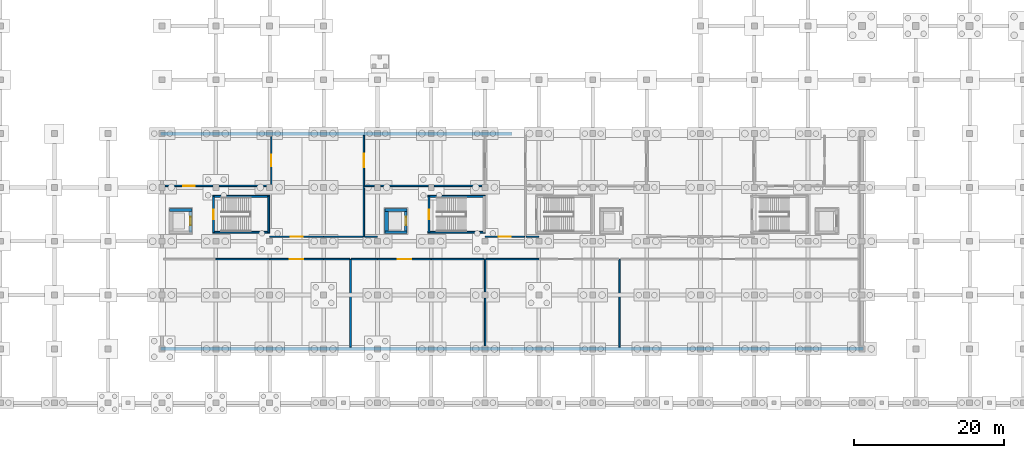
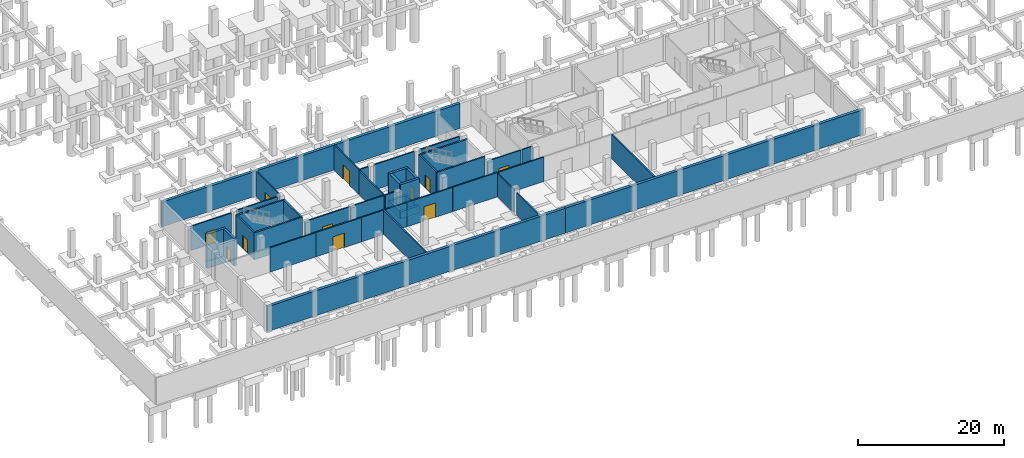
# One storey, part 18 of 22: 45 walls, 11 doors, 11 openings.
"""IFC4 building model written with IfcOpenShell, lengths in metres."""

from ifc_helpers import new_model, si_unit, direction, frame, frame_2d, origin, place, context, subcontext, project, spatial, rectangle, extrude, material, layer, layer_set, type_object, element, fill, save


model = new_model("IFC4")

# Units and contexts
model_context = context("Model", 3, precision=1e-05, world=origin(), true_north=direction((0.0, 1.0)))
body_context = subcontext(model_context, "Body", "Model", "MODEL_VIEW")
ifc_project = project(units=[si_unit("LENGTHUNIT", "METRE"), si_unit("AREAUNIT", "SQUARE_METRE"), si_unit("VOLUMEUNIT", "CUBIC_METRE"), si_unit("PLANEANGLEUNIT", "RADIAN"), si_unit("MASSUNIT", "GRAM", prefix="KILO")], contexts=[model_context])

# Site, building, storey
site_placement = place(None, origin())
site = spatial("IfcSite", under=ifc_project, at=site_placement, CompositionType="ELEMENT")
building_placement = place(site_placement, origin())
building = spatial("IfcBuilding", under=site, at=building_placement, Name="Sardonyx Promenade Sports Hall", CompositionType="ELEMENT")
storey_placement = place(building_placement, frame((0.0, 0.0, -4.5)))
storey = spatial("IfcBuildingStorey", under=building, at=storey_placement, Name="B1", CompositionType="ELEMENT", Elevation=-4.5)

# Wall
ifc_material_1 = material(Name="Concrete C40/50", Category="concrete")
ifc_layer_1 = layer(ifc_material_1, 0.3798828125)
ifc_layer_set_1 = layer_set([ifc_layer_1], Name="Wall_Core_Shear_380")
wall_type_1 = type_object("IfcWallType", Name="Wall_Core_Shear_380", PredefinedType="SHEAR", material=ifc_layer_set_1)
wall_1_placement = place(storey_placement, frame((22.610107421875, 25.800048828125, -1.199951171875), z_axis=(0.0, 0.0, 1.0), x_axis=(1.0, 0.0, 0.0)))
element("IfcWall", 1, at=wall_1_placement, inside=storey, type_object=wall_type_1, Name="Lift pit wall LF1 N", PredefinedType="SHEAR", context=body_context, shape_type="SweptSolid", body=[
    extrude(rectangle(XDim=2.97998046875, YDim=0.3798828125, at=frame_2d((1.489990234375, 0.0))), origin(), (0.0, 0.0, 1.0), 1.199951171875),
])

# Wall, opening, door
wall_2_placement = place(storey_placement, frame((25.39990234375, 22.800048828125, 0.0), z_axis=(0.0, 0.0, 1.0), x_axis=(0.0, 1.0, 0.0)))
wall_2 = element("IfcWall", 2, at=wall_2_placement, inside=storey, type_object=wall_type_1, Name="Lift shaft wall LF1 B1 E", PredefinedType="SHEAR", context=body_context, shape_type="SweptSolid", body=[
    extrude(rectangle(XDim=3.0, YDim=0.3798828125, at=frame_2d((1.5, 0.0))), origin(), (0.0, 0.0, 1.0), 4.5),
])
opening_1_placement = place(wall_2_placement, frame((0.949951171875, 0.0, 0.0)))
opening_1 = element("IfcOpeningElement", 3, at=opening_1_placement, cuts=wall_2, Name="Opening LD01", PredefinedType="OPENING", context=body_context, shape_type="SweptSolid", body=[
    extrude(rectangle(XDim=1.10009765625, YDim=2.199951171875, at=frame_2d((0.550048828125, 1.10009765625))), frame((0.0, 0.2, 0.0), z_axis=(0.0, -1.0, 0.0), x_axis=(1.0, 0.0, 0.0)), (0.0, 0.0, 1.0), 0.4),
])
ifc_material_2 = material(Name="Fire-rated stainless steel sliding lift door", Category="steel")
door_type_1 = type_object("IfcDoorType", Name="Door_Lift_Pass_110x220", OperationType="NOTDEFINED", PredefinedType="DOOR", material=ifc_material_2)
door_1_placement = place(opening_1_placement, origin())
door_1 = element("IfcDoor", 4, at=door_1_placement, inside=storey, type_object=door_type_1, Name="Lift landing sliding door LD-LF1-B1", OperationType="SLIDING_TO_LEFT", OverallHeight=2.199951171875, OverallWidth=1.10009765625, PredefinedType="DOOR", context=body_context, shape_type="SweptSolid", body=[
    extrude(rectangle(XDim=1.10009765625, YDim=2.199951171875, at=frame_2d((0.550048828125, 1.10009765625))), frame((0.0, 0.02490234375, 0.0), z_axis=(0.0, -1.0, 0.0), x_axis=(1.0, 0.0, 0.0)), (0.0, 0.0, 1.0), 0.050048828125),
])
fill(opening_1, door_1)

# Walls
wall_3_placement = place(storey_placement, frame((22.610107421875, 25.800048828125, 0.0), z_axis=(0.0, 0.0, 1.0), x_axis=(1.0, 0.0, 0.0)))
element("IfcWall", 5, at=wall_3_placement, inside=storey, type_object=wall_type_1, Name="Lift shaft wall LF1 B1 N", PredefinedType="SHEAR", context=body_context, shape_type="SweptSolid", body=[
    extrude(rectangle(XDim=2.97998046875, YDim=0.3798828125, at=frame_2d((1.489990234375, 0.0))), origin(), (0.0, 0.0, 1.0), 4.5),
])
wall_4_placement = place(storey_placement, frame((54.199951171875, 22.610107421875, -1.199951171875), z_axis=(0.0, 0.0, 1.0), x_axis=(0.0, 1.0, 0.0)))
element("IfcWall", 6, at=wall_4_placement, inside=storey, type_object=wall_type_1, Name="Lift pit wall LF3 E", PredefinedType="SHEAR", context=body_context, shape_type="SweptSolid", body=[
    extrude(rectangle(XDim=3.3798828125, YDim=0.3798828125, at=frame_2d((1.68994140625, 0.0))), origin(), (0.0, 0.0, 1.0), 1.199951171875),
])
for number, where, z_axis, x_axis, name in (
    (7, (51.409912109375, 25.800048828125, -1.199951171875), (0.0, 0.0, 1.0), (1.0, 0.0, 0.0), "Lift pit wall LF3 N"),
    (8, (54.389892578125, 22.800048828125, -1.199951171875), (0.0, 0.0, 1.0), (-1.0, 0.0, 0.0), "Lift pit wall LF3 S"),
):
    element("IfcWall", number, at=place(storey_placement, frame(where, z_axis=z_axis, x_axis=x_axis)), inside=storey, type_object=wall_type_1, Name=name, PredefinedType="SHEAR", context=body_context, shape_type="SweptSolid", body=[
        extrude(rectangle(XDim=2.97998046875, YDim=0.3798828125, at=frame_2d((1.489990234375, 0.0))), origin(), (0.0, 0.0, 1.0), 1.199951171875),
    ])

# Wall, opening, door
wall_5_placement = place(storey_placement, frame((54.199951171875, 22.800048828125, 0.0), z_axis=(0.0, 0.0, 1.0), x_axis=(0.0, 1.0, 0.0)))
wall_5 = element("IfcWall", 9, at=wall_5_placement, inside=storey, type_object=wall_type_1, Name="Lift shaft wall LF3 B1 E", PredefinedType="SHEAR", context=body_context, shape_type="SweptSolid", body=[
    extrude(rectangle(XDim=3.0, YDim=0.3798828125, at=frame_2d((1.5, 0.0))), origin(), (0.0, 0.0, 1.0), 4.5),
])
opening_2_placement = place(wall_5_placement, frame((0.949951171875, 0.0, 0.0)))
opening_2 = element("IfcOpeningElement", 10, at=opening_2_placement, cuts=wall_5, Name="Opening LD01", PredefinedType="OPENING", context=body_context, shape_type="SweptSolid", body=[
    extrude(rectangle(XDim=1.10009765625, YDim=2.199951171875, at=frame_2d((0.550048828125, 1.10009765625))), frame((0.0, 0.2, 0.0), z_axis=(0.0, -1.0, 0.0), x_axis=(1.0, 0.0, 0.0)), (0.0, 0.0, 1.0), 0.4),
])
door_2_placement = place(opening_2_placement, origin())
door_2 = element("IfcDoor", 11, at=door_2_placement, inside=storey, type_object=door_type_1, Name="Lift landing sliding door LD-LF3-B1", OperationType="SLIDING_TO_LEFT", OverallHeight=2.199951171875, OverallWidth=1.10009765625, PredefinedType="DOOR", context=body_context, shape_type="SweptSolid", body=[
    extrude(rectangle(XDim=1.10009765625, YDim=2.199951171875, at=frame_2d((0.550048828125, 1.10009765625))), frame((0.0, 0.02490234375, 0.0), z_axis=(0.0, -1.0, 0.0), x_axis=(1.0, 0.0, 0.0)), (0.0, 0.0, 1.0), 0.050048828125),
])
fill(opening_2, door_2)

# Walls
for number, where, z_axis, x_axis, name in (
    (12, (51.409912109375, 25.800048828125, 0.0), (0.0, 0.0, 1.0), (1.0, 0.0, 0.0), "Lift shaft wall LF3 B1 N"),
    (13, (54.389892578125, 22.800048828125, 0.0), (0.0, 0.0, 1.0), (-1.0, 0.0, 0.0), "Lift shaft wall LF3 B1 S"),
):
    element("IfcWall", number, at=place(storey_placement, frame(where, z_axis=z_axis, x_axis=x_axis)), inside=storey, type_object=wall_type_1, Name=name, PredefinedType="SHEAR", context=body_context, shape_type="SweptSolid", body=[
        extrude(rectangle(XDim=2.97998046875, YDim=0.3798828125, at=frame_2d((1.489990234375, 0.0))), origin(), (0.0, 0.0, 1.0), 4.5),
    ])
ifc_material_3 = material(Name="Concrete C50/60", Category="concrete")
ifc_layer_2 = layer(ifc_material_3, 0.5)
ifc_layer_set_2 = layer_set([ifc_layer_2], Name="Wall_Core_Shear_500")
wall_type_2 = type_object("IfcWallType", Name="Wall_Core_Shear_500", PredefinedType="SHEAR", material=ifc_layer_set_2)
wall_6_placement = place(storey_placement, frame((51.60009765625, 25.989990234375, -1.199951171875), z_axis=(0.0, 0.0, 1.0), x_axis=(0.0, -1.0, 0.0)))
element("IfcWall", 14, at=wall_6_placement, inside=storey, type_object=wall_type_2, Name="Lift pit wall LF3 W", PredefinedType="SHEAR", context=body_context, shape_type="SweptSolid", body=[
    extrude(rectangle(XDim=3.3798828125, YDim=0.5, at=frame_2d((1.68994140625, 0.0))), origin(), (0.0, 0.0, 1.0), 1.199951171875),
])
wall_7_placement = place(storey_placement, frame((51.60009765625, 25.800048828125, 0.0), z_axis=(0.0, 0.0, 1.0), x_axis=(0.0, -1.0, 0.0)))
element("IfcWall", 15, at=wall_7_placement, inside=storey, type_object=wall_type_2, Name="Lift shaft wall LF3 B1 W", PredefinedType="SHEAR", context=body_context, shape_type="SweptSolid", body=[
    extrude(rectangle(XDim=3.0, YDim=0.5, at=frame_2d((1.5, 0.0))), origin(), (0.0, 0.0, 1.0), 4.5),
])

# Wall, opening, door
ifc_material_4 = material(Name="Masonry CMU 15 MPa", Category="masonry")
ifc_layer_3 = layer(ifc_material_4, 0.18994140625)
ifc_layer_set_3 = layer_set([ifc_layer_3], Name="Wall_Part_Block_190")
wall_type_3 = type_object("IfcWallType", Name="Wall_Part_Block_190", PredefinedType="PARTITIONING", material=ifc_layer_set_3)
wall_8_placement = place(storey_placement, frame((36.199951171875, 29.199951171875, 0.0), z_axis=(0.0, 0.0, 1.0), x_axis=(0.0, 1.0, 0.0)))
wall_8 = element("IfcWall", 16, at=wall_8_placement, inside=storey, type_object=wall_type_3, Name="Interior partition PW03 B1 #10", PredefinedType="PARTITIONING", context=body_context, shape_type="SweptSolid", body=[
    extrude(rectangle(XDim=6.400146484375, YDim=0.18994140625, at=frame_2d((3.2001953125, 0.0))), origin(), (0.0, 0.0, 1.0), 4.219970703125),
])
opening_3_placement = place(wall_8_placement, frame((2.39990234375, 0.0, 0.0)))
opening_3 = element("IfcOpeningElement", 17, at=opening_3_placement, cuts=wall_8, Name="Opening ID09", PredefinedType="OPENING", context=body_context, shape_type="SweptSolid", body=[
    extrude(rectangle(XDim=1.60009765625, YDim=2.199951171875, at=frame_2d((0.800048828125, 1.10009765625))), frame((0.0, 0.105, 0.0), z_axis=(0.0, -1.0, 0.0), x_axis=(1.0, 0.0, 0.0)), (0.0, 0.0, 1.0), 0.21),
])
ifc_material_5 = material(Name="Double hardwood vision-panel fire door FD60S", Category="wood")
door_type_2 = type_object("IfcDoorType", Name="Door_Lobby_FD60_160x220", OperationType="NOTDEFINED", PredefinedType="DOOR", material=ifc_material_5)
door_3_placement = place(opening_3_placement, origin())
door_3 = element("IfcDoor", 18, at=door_3_placement, inside=storey, type_object=door_type_2, Name="Interior door DB1-001", OperationType="DOUBLE_DOOR_SINGLE_SWING", OverallHeight=2.199951171875, OverallWidth=1.60009765625, PredefinedType="DOOR", context=body_context, shape_type="SweptSolid", body=[
    extrude(rectangle(XDim=1.60009765625, YDim=2.199951171875, at=frame_2d((0.800048828125, 1.10009765625))), frame((0.0, 0.02490234375, 0.0), z_axis=(0.0, -1.0, 0.0), x_axis=(1.0, 0.0, 0.0)), (0.0, 0.0, 1.0), 0.050048828125),
])
fill(opening_3, door_3)

# Wall
wall_9_placement = place(storey_placement, frame((48.60009765625, 22.199951171875, 0.0), z_axis=(0.0, 0.0, 1.0), x_axis=(0.0, 1.0, 0.0)))
element("IfcWall", 19, at=wall_9_placement, inside=storey, type_object=wall_type_3, Name="Interior partition PW03 B1 #11", PredefinedType="PARTITIONING", context=body_context, shape_type="SweptSolid", body=[
    extrude(rectangle(XDim=6.800048828125, YDim=0.18994140625, at=frame_2d((3.39990234375, 0.0))), origin(), (0.0, 0.0, 1.0), 4.06005859375),
])

# Wall, opening, door
wall_10_placement = place(storey_placement, frame((48.60009765625, 29.010009765625, 0.0), z_axis=(0.0, 0.0, 1.0), x_axis=(0.0, 1.0, 0.0)))
wall_10 = element("IfcWall", 20, at=wall_10_placement, inside=storey, type_object=wall_type_3, Name="Interior partition PW03 B1 #12", PredefinedType="PARTITIONING", context=body_context, shape_type="SweptSolid", body=[
    extrude(rectangle(XDim=6.7548828125, YDim=0.18994140625, at=frame_2d((3.37744140625, 0.0))), origin(), (0.0, 0.0, 1.0), 4.219970703125),
])
opening_4_placement = place(wall_10_placement, frame((2.4775390625, 0.0, 0.0)))
opening_4 = element("IfcOpeningElement", 21, at=opening_4_placement, cuts=wall_10, Name="Opening ID02", PredefinedType="OPENING", context=body_context, shape_type="SweptSolid", body=[
    extrude(rectangle(XDim=1.800048828125, YDim=2.39990234375, at=frame_2d((0.89990234375, 1.199951171875))), frame((0.0, 0.105, 0.0), z_axis=(0.0, -1.0, 0.0), x_axis=(1.0, 0.0, 0.0)), (0.0, 0.0, 1.0), 0.21),
])
ifc_material_6 = material(Name="Steel acoustic plant fire door FD60S", Category="steel")
door_type_3 = type_object("IfcDoorType", Name="Door_Plant_FD60_180x240", OperationType="NOTDEFINED", PredefinedType="DOOR", material=ifc_material_6)
door_4_placement = place(opening_4_placement, origin())
door_4 = element("IfcDoor", 22, at=door_4_placement, inside=storey, type_object=door_type_3, Name="Interior door DB1-002", OperationType="DOUBLE_DOOR_SINGLE_SWING", OverallHeight=2.39990234375, OverallWidth=1.800048828125, PredefinedType="DOOR", context=body_context, shape_type="SweptSolid", body=[
    extrude(rectangle(XDim=1.800048828125, YDim=2.39990234375, at=frame_2d((0.89990234375, 1.199951171875))), frame((0.0, 0.02490234375, 0.0), z_axis=(0.0, -1.0, 0.0), x_axis=(1.0, 0.0, 0.0)), (0.0, 0.0, 1.0), 0.050048828125),
])
fill(opening_4, door_4)

wall_11_placement = place(storey_placement, frame((22.0, 29.0, 0.0), z_axis=(0.0, 0.0, 1.0), x_axis=(1.0, 0.0, 0.0)))
wall_11 = element("IfcWall", 23, at=wall_11_placement, inside=storey, type_object=wall_type_3, Name="Interior partition PW03 B1 #19", PredefinedType="PARTITIONING", context=body_context, shape_type="SweptSolid", body=[
    extrude(rectangle(XDim=6.39990234375, YDim=0.18994140625, at=frame_2d((3.199951171875, 0.0))), origin(), (0.0, 0.0, 1.0), 4.06005859375),
])
opening_5_placement = place(wall_11_placement, frame((2.39990234375, 0.0, 0.0)))
opening_5 = element("IfcOpeningElement", 24, at=opening_5_placement, cuts=wall_11, Name="Opening ID09", PredefinedType="OPENING", context=body_context, shape_type="SweptSolid", body=[
    extrude(rectangle(XDim=1.60009765625, YDim=2.199951171875, at=frame_2d((0.800048828125, 1.10009765625))), frame((0.0, 0.105, 0.0), z_axis=(0.0, -1.0, 0.0), x_axis=(1.0, 0.0, 0.0)), (0.0, 0.0, 1.0), 0.21),
])
door_5_placement = place(opening_5_placement, origin())
door_5 = element("IfcDoor", 25, at=door_5_placement, inside=storey, type_object=door_type_2, Name="Interior door DB1-008", OperationType="DOUBLE_DOOR_SINGLE_SWING", OverallHeight=2.199951171875, OverallWidth=1.60009765625, PredefinedType="DOOR", context=body_context, shape_type="SweptSolid", body=[
    extrude(rectangle(XDim=1.60009765625, YDim=2.199951171875, at=frame_2d((0.800048828125, 1.10009765625))), frame((0.0, 0.02490234375, 0.0), z_axis=(0.0, -1.0, 0.0), x_axis=(1.0, 0.0, 0.0)), (0.0, 0.0, 1.0), 0.050048828125),
])
fill(opening_5, door_5)

# Walls
wall_12_placement = place(storey_placement, frame((29.199951171875, 29.0, 0.0), z_axis=(0.0, 0.0, 1.0), x_axis=(1.0, 0.0, 0.0)))
element("IfcWall", 26, at=wall_12_placement, inside=storey, type_object=wall_type_3, Name="Interior partition PW03 B1 #20", PredefinedType="PARTITIONING", context=body_context, shape_type="SweptSolid", body=[
    extrude(rectangle(XDim=6.400146484375, YDim=0.18994140625, at=frame_2d((3.2001953125, 0.0))), origin(), (0.0, 0.0, 1.0), 4.219970703125),
])
wall_13_placement = place(storey_placement, frame((48.705078125, 29.0, 0.0), z_axis=(0.0, 0.0, 1.0), x_axis=(1.0, 0.0, 0.0)))
element("IfcWall", 27, at=wall_13_placement, inside=storey, type_object=wall_type_3, Name="Interior partition PW03 B1 #21", PredefinedType="PARTITIONING", context=body_context, shape_type="SweptSolid", body=[
    extrude(rectangle(XDim=1.294921875, YDim=0.18994140625, at=frame_2d((0.6474609375, 0.0))), origin(), (0.0, 0.0, 1.0), 4.219970703125),
])
for number, where, z_axis, x_axis, name in (
    (28, (50.800048828125, 29.0, 0.0), (0.0, 0.0, 1.0), (1.0, 0.0, 0.0), "Interior partition PW03 B1 #22"),
    (29, (58.0, 29.0, 0.0), (0.0, 0.0, 1.0), (1.0, 0.0, 0.0), "Interior partition PW03 B1 #23"),
):
    element("IfcWall", number, at=place(storey_placement, frame(where, z_axis=z_axis, x_axis=x_axis)), inside=storey, type_object=wall_type_3, Name=name, PredefinedType="PARTITIONING", context=body_context, shape_type="SweptSolid", body=[
        extrude(rectangle(XDim=6.39990234375, YDim=0.18994140625, at=frame_2d((3.199951171875, 0.0))), origin(), (0.0, 0.0, 1.0), 4.219970703125),
    ])

# Wall, opening, door
wall_14_placement = place(storey_placement, frame((36.0, 22.199951171875, 0.0), z_axis=(0.0, 0.0, 1.0), x_axis=(1.0, 0.0, 0.0)))
wall_14 = element("IfcWall", 30, at=wall_14_placement, inside=storey, type_object=wall_type_3, Name="Interior partition PW03 B1 #33", PredefinedType="PARTITIONING", context=body_context, shape_type="SweptSolid", body=[
    extrude(rectangle(XDim=7.199951171875, YDim=0.18994140625, at=frame_2d((3.60009765625, 0.0))), origin(), (0.0, 0.0, 1.0), 4.06005859375),
])
opening_6_placement = place(wall_14_placement, frame((2.800048828125, 0.0, 0.0)))
opening_6 = element("IfcOpeningElement", 31, at=opening_6_placement, cuts=wall_14, Name="Opening ID09", PredefinedType="OPENING", context=body_context, shape_type="SweptSolid", body=[
    extrude(rectangle(XDim=1.60009765625, YDim=2.199951171875, at=frame_2d((0.800048828125, 1.10009765625))), frame((0.0, 0.105, 0.0), z_axis=(0.0, -1.0, 0.0), x_axis=(1.0, 0.0, 0.0)), (0.0, 0.0, 1.0), 0.21),
])
door_6_placement = place(opening_6_placement, origin())
door_6 = element("IfcDoor", 32, at=door_6_placement, inside=storey, type_object=door_type_2, Name="Interior door DB1-011", OperationType="DOUBLE_DOOR_SINGLE_SWING", OverallHeight=2.199951171875, OverallWidth=1.60009765625, PredefinedType="DOOR", context=body_context, shape_type="SweptSolid", body=[
    extrude(rectangle(XDim=1.60009765625, YDim=2.199951171875, at=frame_2d((0.800048828125, 1.10009765625))), frame((0.0, 0.02490234375, 0.0), z_axis=(0.0, -1.0, 0.0), x_axis=(1.0, 0.0, 0.0)), (0.0, 0.0, 1.0), 0.050048828125),
])
fill(opening_6, door_6)

# Walls
wall_15_placement = place(storey_placement, frame((43.2099609375, 22.199951171875, 0.0), z_axis=(0.0, 0.0, 1.0), x_axis=(1.0, 0.0, 0.0)))
element("IfcWall", 33, at=wall_15_placement, inside=storey, type_object=wall_type_3, Name="Interior partition PW03 B1 #36", PredefinedType="PARTITIONING", context=body_context, shape_type="SweptSolid", body=[
    extrude(rectangle(XDim=5.28515625, YDim=0.18994140625, at=frame_2d((2.642578125, 0.0))), origin(), (0.0, 0.0, 1.0), 4.06005859375),
])
wall_16_placement = place(storey_placement, frame((48.705078125, 22.199951171875, 0.0), z_axis=(0.0, 0.0, 1.0), x_axis=(1.0, 0.0, 0.0)))
element("IfcWall", 34, at=wall_16_placement, inside=storey, type_object=wall_type_3, Name="Interior partition PW03 B1 #37", PredefinedType="PARTITIONING", context=body_context, shape_type="SweptSolid", body=[
    extrude(rectangle(XDim=1.69482421875, YDim=0.18994140625, at=frame_2d((0.847412109375, 0.0))), origin(), (0.0, 0.0, 1.0), 4.06005859375),
])

# Wall, opening, door
wall_17_placement = place(storey_placement, frame((64.800048828125, 22.199951171875, 0.0), z_axis=(0.0, 0.0, 1.0), x_axis=(1.0, 0.0, 0.0)))
wall_17 = element("IfcWall", 35, at=wall_17_placement, inside=storey, type_object=wall_type_3, Name="Interior partition PW03 B1 #41", PredefinedType="PARTITIONING", context=body_context, shape_type="SweptSolid", body=[
    extrude(rectangle(XDim=5.294921875, YDim=0.18994140625, at=frame_2d((2.6474609375, 0.0))), origin(), (0.0, 0.0, 1.0), 4.06005859375),
])
opening_7_placement = place(wall_17_placement, frame((1.847412109375, 0.0, 0.0)))
opening_7 = element("IfcOpeningElement", 36, at=opening_7_placement, cuts=wall_17, Name="Opening ID09", PredefinedType="OPENING", context=body_context, shape_type="SweptSolid", body=[
    extrude(rectangle(XDim=1.60009765625, YDim=2.199951171875, at=frame_2d((0.800048828125, 1.10009765625))), frame((0.0, 0.105, 0.0), z_axis=(0.0, -1.0, 0.0), x_axis=(1.0, 0.0, 0.0)), (0.0, 0.0, 1.0), 0.21),
])
door_7_placement = place(opening_7_placement, origin())
door_7 = element("IfcDoor", 37, at=door_7_placement, inside=storey, type_object=door_type_2, Name="Interior door DB1-013", OperationType="DOUBLE_DOOR_SINGLE_SWING", OverallHeight=2.199951171875, OverallWidth=1.60009765625, PredefinedType="DOOR", context=body_context, shape_type="SweptSolid", body=[
    extrude(rectangle(XDim=1.60009765625, YDim=2.199951171875, at=frame_2d((0.800048828125, 1.10009765625))), frame((0.0, 0.02490234375, 0.0), z_axis=(0.0, -1.0, 0.0), x_axis=(1.0, 0.0, 0.0)), (0.0, 0.0, 1.0), 0.050048828125),
])
fill(opening_7, door_7)

# Walls
wall_18_placement = place(storey_placement, frame((70.304931640625, 22.199951171875, 0.0), z_axis=(0.0, 0.0, 1.0), x_axis=(1.0, 0.0, 0.0)))
element("IfcWall", 38, at=wall_18_placement, inside=storey, type_object=wall_type_3, Name="Interior partition PW03 B1 #42", PredefinedType="PARTITIONING", context=body_context, shape_type="SweptSolid", body=[
    extrude(rectangle(XDim=1.695068359375, YDim=0.18994140625, at=frame_2d((0.84765625, 0.0))), origin(), (0.0, 0.0, 1.0), 4.06005859375),
])
ifc_material_7 = material(Name="Masonry CMU 15 MPa", Category="masonry")
ifc_layer_4 = layer(ifc_material_7, 0.2099609375)
ifc_layer_set_4 = layer_set([ifc_layer_4], Name="Wall_Part_Block_210")
wall_type_4 = type_object("IfcWallType", Name="Wall_Part_Block_210", PredefinedType="PARTITIONING", material=ifc_layer_set_4)
wall_19_placement = place(storey_placement, frame((46.800048828125, 7.43505859375, 0.0), z_axis=(0.0, 0.0, 1.0), x_axis=(0.0, 1.0, 0.0)))
element("IfcWall", 39, at=wall_19_placement, inside=storey, type_object=wall_type_4, Name="Interior partition PW07 B1 #1", PredefinedType="PARTITIONING", context=body_context, shape_type="SweptSolid", body=[
    extrude(rectangle(XDim=11.764892578125, YDim=0.2099609375, at=frame_2d((5.88232421875, 0.0))), origin(), (0.0, 0.0, 1.0), 4.06005859375),
])
wall_20_placement = place(storey_placement, frame((64.800048828125, 7.60009765625, 0.0), z_axis=(0.0, 0.0, 1.0), x_axis=(0.0, 1.0, 0.0)))
element("IfcWall", 40, at=wall_20_placement, inside=storey, type_object=wall_type_4, Name="Interior partition PW07 B1 #2", PredefinedType="PARTITIONING", context=body_context, shape_type="SweptSolid", body=[
    extrude(rectangle(XDim=6.39990234375, YDim=0.2099609375, at=frame_2d((3.199951171875, 0.0))), origin(), (0.0, 0.0, 1.0), 3.780029296875),
])
wall_21_placement = place(storey_placement, frame((64.800048828125, 14.800048828125, 0.0), z_axis=(0.0, 0.0, 1.0), x_axis=(0.0, 1.0, 0.0)))
element("IfcWall", 41, at=wall_21_placement, inside=storey, type_object=wall_type_4, Name="Interior partition PW07 B1 #3", PredefinedType="PARTITIONING", context=body_context, shape_type="SweptSolid", body=[
    extrude(rectangle(XDim=4.39990234375, YDim=0.2099609375, at=frame_2d((2.199951171875, 0.0))), origin(), (0.0, 0.0, 1.0), 3.780029296875),
])
wall_22_placement = place(storey_placement, frame((82.800048828125, 7.43505859375, 0.0), z_axis=(0.0, 0.0, 1.0), x_axis=(0.0, 1.0, 0.0)))
element("IfcWall", 42, at=wall_22_placement, inside=storey, type_object=wall_type_4, Name="Interior partition PW07 B1 #4", PredefinedType="PARTITIONING", context=body_context, shape_type="SweptSolid", body=[
    extrude(rectangle(XDim=11.764892578125, YDim=0.2099609375, at=frame_2d((5.88232421875, 0.0))), origin(), (0.0, 0.0, 1.0), 4.06005859375),
])
wall_23_placement = place(storey_placement, frame((28.81005859375, 19.199951171875, 0.0), z_axis=(0.0, 0.0, 1.0), x_axis=(1.0, 0.0, 0.0)))
element("IfcWall", 43, at=wall_23_placement, inside=storey, type_object=wall_type_4, Name="Interior partition PW07 B1 #31", PredefinedType="PARTITIONING", context=body_context, shape_type="SweptSolid", body=[
    extrude(rectangle(XDim=7.18994140625, YDim=0.2099609375, at=frame_2d((3.594970703125, 0.0))), origin(), (0.0, 0.0, 1.0), 4.06005859375),
])

# Wall, opening, door
wall_24_placement = place(storey_placement, frame((36.010009765625, 19.199951171875, 0.0), z_axis=(0.0, 0.0, 1.0), x_axis=(1.0, 0.0, 0.0)))
wall_24 = element("IfcWall", 44, at=wall_24_placement, inside=storey, type_object=wall_type_4, Name="Interior partition PW07 B1 #32", PredefinedType="PARTITIONING", context=body_context, shape_type="SweptSolid", body=[
    extrude(rectangle(XDim=7.18994140625, YDim=0.2099609375, at=frame_2d((3.594970703125, 0.0))), origin(), (0.0, 0.0, 1.0), 4.06005859375),
])
opening_8_placement = place(wall_24_placement, frame((2.695068359375, 0.0, 0.0)))
opening_8 = element("IfcOpeningElement", 45, at=opening_8_placement, cuts=wall_24, Name="Opening ID02", PredefinedType="OPENING", context=body_context, shape_type="SweptSolid", body=[
    extrude(rectangle(XDim=1.800048828125, YDim=2.39990234375, at=frame_2d((0.89990234375, 1.199951171875))), frame((0.0, 0.115, 0.0), z_axis=(0.0, -1.0, 0.0), x_axis=(1.0, 0.0, 0.0)), (0.0, 0.0, 1.0), 0.23),
])
door_8_placement = place(opening_8_placement, origin())
door_8 = element("IfcDoor", 46, at=door_8_placement, inside=storey, type_object=door_type_3, Name="Interior door DB1-010", OperationType="DOUBLE_DOOR_SINGLE_SWING", OverallHeight=2.39990234375, OverallWidth=1.800048828125, PredefinedType="DOOR", context=body_context, shape_type="SweptSolid", body=[
    extrude(rectangle(XDim=1.800048828125, YDim=2.39990234375, at=frame_2d((0.89990234375, 1.199951171875))), frame((0.0, 0.02490234375, 0.0), z_axis=(0.0, -1.0, 0.0), x_axis=(1.0, 0.0, 0.0)), (0.0, 0.0, 1.0), 0.050048828125),
])
fill(opening_8, door_8)

# Walls
wall_25_placement = place(storey_placement, frame((43.2099609375, 19.199951171875, 0.0), z_axis=(0.0, 0.0, 1.0), x_axis=(1.0, 0.0, 0.0)))
element("IfcWall", 47, at=wall_25_placement, inside=storey, type_object=wall_type_4, Name="Interior partition PW07 B1 #34", PredefinedType="PARTITIONING", context=body_context, shape_type="SweptSolid", body=[
    extrude(rectangle(XDim=3.47509765625, YDim=0.2099609375, at=frame_2d((1.737548828125, 0.0))), origin(), (0.0, 0.0, 1.0), 4.06005859375),
])
wall_26_placement = place(storey_placement, frame((46.9150390625, 19.199951171875, 0.0), z_axis=(0.0, 0.0, 1.0), x_axis=(1.0, 0.0, 0.0)))
element("IfcWall", 48, at=wall_26_placement, inside=storey, type_object=wall_type_4, Name="Interior partition PW07 B1 #35", PredefinedType="PARTITIONING", context=body_context, shape_type="SweptSolid", body=[
    extrude(rectangle(XDim=3.48486328125, YDim=0.2099609375, at=frame_2d((1.742431640625, 0.0))), origin(), (0.0, 0.0, 1.0), 4.06005859375),
])

# Wall, opening, door
wall_27_placement = place(storey_placement, frame((50.409912109375, 19.199951171875, 0.0), z_axis=(0.0, 0.0, 1.0), x_axis=(1.0, 0.0, 0.0)))
wall_27 = element("IfcWall", 49, at=wall_27_placement, inside=storey, type_object=wall_type_4, Name="Interior partition PW07 B1 #38", PredefinedType="PARTITIONING", context=body_context, shape_type="SweptSolid", body=[
    extrude(rectangle(XDim=7.190185546875, YDim=0.2099609375, at=frame_2d((3.59521484375, 0.0))), origin(), (0.0, 0.0, 1.0), 4.06005859375),
])
opening_9_placement = place(wall_27_placement, frame((2.695068359375, 0.0, 0.0)))
opening_9 = element("IfcOpeningElement", 50, at=opening_9_placement, cuts=wall_27, Name="Opening ID02", PredefinedType="OPENING", context=body_context, shape_type="SweptSolid", body=[
    extrude(rectangle(XDim=1.800048828125, YDim=2.39990234375, at=frame_2d((0.89990234375, 1.199951171875))), frame((0.0, 0.115, 0.0), z_axis=(0.0, -1.0, 0.0), x_axis=(1.0, 0.0, 0.0)), (0.0, 0.0, 1.0), 0.23),
])
door_9_placement = place(opening_9_placement, origin())
door_9 = element("IfcDoor", 51, at=door_9_placement, inside=storey, type_object=door_type_3, Name="Interior door DB1-012", OperationType="DOUBLE_DOOR_SINGLE_SWING", OverallHeight=2.39990234375, OverallWidth=1.800048828125, PredefinedType="DOOR", context=body_context, shape_type="SweptSolid", body=[
    extrude(rectangle(XDim=1.800048828125, YDim=2.39990234375, at=frame_2d((0.89990234375, 1.199951171875))), frame((0.0, 0.02490234375, 0.0), z_axis=(0.0, -1.0, 0.0), x_axis=(1.0, 0.0, 0.0)), (0.0, 0.0, 1.0), 0.050048828125),
])
fill(opening_9, door_9)

# Walls
wall_28_placement = place(storey_placement, frame((57.610107421875, 19.199951171875, 0.0), z_axis=(0.0, 0.0, 1.0), x_axis=(1.0, 0.0, 0.0)))
element("IfcWall", 52, at=wall_28_placement, inside=storey, type_object=wall_type_4, Name="Interior partition PW07 B1 #39", PredefinedType="PARTITIONING", context=body_context, shape_type="SweptSolid", body=[
    extrude(rectangle(XDim=7.074951171875, YDim=0.2099609375, at=frame_2d((3.53759765625, 0.0))), origin(), (0.0, 0.0, 1.0), 4.06005859375),
])
wall_29_placement = place(storey_placement, frame((64.9150390625, 19.199951171875, 0.0), z_axis=(0.0, 0.0, 1.0), x_axis=(1.0, 0.0, 0.0)))
element("IfcWall", 53, at=wall_29_placement, inside=storey, type_object=wall_type_4, Name="Interior partition PW07 B1 #40", PredefinedType="PARTITIONING", context=body_context, shape_type="SweptSolid", body=[
    extrude(rectangle(XDim=7.0849609375, YDim=0.2099609375, at=frame_2d((3.54248046875, 0.0))), origin(), (0.0, 0.0, 1.0), 4.06005859375),
])
ifc_material_8 = material(Name="Concrete C40/50", Category="concrete")
ifc_layer_5 = layer(ifc_material_8, 0.449951171875)
ifc_layer_set_5 = layer_set([ifc_layer_5], Name="Wall_Retain_B1_450")
wall_type_5 = type_object("IfcWallType", Name="Wall_Retain_B1_450", PredefinedType="USERDEFINED", material=ifc_layer_set_5)
for number, where, z_axis, x_axis, name in (
    (54, (21.39990234375, 36.0, 0.0), (0.0, 0.0, 1.0), (1.0, 0.0, 0.0), "Basement retaining wall RW01 N1"),
    (55, (115.39990234375, 7.199951171875, 0.0), (0.0, 0.0, 1.0), (-1.0, 0.0, 0.0), "Basement retaining wall RW01 S1"),
    (56, (68.39990234375, 7.199951171875, 0.0), (0.0, 0.0, 1.0), (-1.0, 0.0, 0.0), "Basement retaining wall RW01 S2"),
):
    element("IfcWall", number, at=place(storey_placement, frame(where, z_axis=z_axis, x_axis=x_axis)), inside=storey, type_object=wall_type_5, Name=name, ObjectType="RETAINING WALL", PredefinedType="USERDEFINED", context=body_context, shape_type="SweptSolid", body=[
        extrude(rectangle(XDim=47.0, YDim=0.449951171875, at=frame_2d((23.5, 0.0))), origin(), (0.0, 0.0, 1.0), 4.14990234375),
    ])

# Wall, opening, door
ifc_material_9 = material(Name="Concrete C40/50", Category="concrete")
ifc_layer_6 = layer(ifc_material_9, 0.25)
ifc_layer_set_6 = layer_set([ifc_layer_6], Name="Wall_Stair_Shear_250")
wall_type_6 = type_object("IfcWallType", Name="Wall_Stair_Shear_250", PredefinedType="SHEAR", material=ifc_layer_set_6)
wall_30_placement = place(storey_placement, frame((28.47509765625, 22.800048828125, 0.0), z_axis=(0.0, 0.0, 1.0), x_axis=(0.0, 1.0, 0.0)))
wall_30 = element("IfcWall", 57, at=wall_30_placement, inside=storey, type_object=wall_type_6, Name="Stair shaft wall ST1 B1 entry", PredefinedType="SHEAR", context=body_context, shape_type="SweptSolid", body=[
    extrude(rectangle(XDim=4.800048828125, YDim=0.25, at=frame_2d((2.39990234375, 0.0))), origin(), (0.0, 0.0, 1.0), 4.5),
])
opening_10_placement = place(wall_30_placement, frame((1.77490234375, 0.0, 0.0)))
opening_10 = element("IfcOpeningElement", 58, at=opening_10_placement, cuts=wall_30, Name="Opening ID13", PredefinedType="OPENING", context=body_context, shape_type="SweptSolid", body=[
    extrude(rectangle(XDim=1.25, YDim=2.199951171875, at=frame_2d((0.625, 1.10009765625))), frame((0.0, 0.135, 0.0), z_axis=(0.0, -1.0, 0.0), x_axis=(1.0, 0.0, 0.0)), (0.0, 0.0, 1.0), 0.27),
])
ifc_material_10 = material(Name="Solid-core hardwood fire door FD60S", Category="wood")
door_type_4 = type_object("IfcDoorType", Name="Door_Stair_FD60_125x220", OperationType="NOTDEFINED", PredefinedType="DOOR", material=ifc_material_10)
door_10_placement = place(opening_10_placement, origin())
door_10 = element("IfcDoor", 59, at=door_10_placement, inside=storey, type_object=door_type_4, Name="Protected stair door SD01 (ST1 B1)", OperationType="SINGLE_SWING_LEFT", OverallHeight=2.199951171875, OverallWidth=1.25, PredefinedType="DOOR", context=body_context, shape_type="SweptSolid", body=[
    extrude(rectangle(XDim=1.25, YDim=2.199951171875, at=frame_2d((0.625, 1.10009765625))), frame((0.0, 0.02490234375, 0.0), z_axis=(0.0, -1.0, 0.0), x_axis=(1.0, 0.0, 0.0)), (0.0, 0.0, 1.0), 0.050048828125),
])
fill(opening_10, door_10)

# Walls
wall_31_placement = place(storey_placement, frame((28.35009765625, 27.60009765625, 0.0), z_axis=(0.0, 0.0, 1.0), x_axis=(1.0, 0.0, 0.0)))
element("IfcWall", 60, at=wall_31_placement, inside=storey, type_object=wall_type_6, Name="Stair shaft wall ST1 B1 N", PredefinedType="SHEAR", context=body_context, shape_type="SweptSolid", body=[
    extrude(rectangle(XDim=7.64990234375, YDim=0.25, at=frame_2d((3.824951171875, 0.0))), origin(), (0.0, 0.0, 1.0), 4.5),
])
wall_32_placement = place(storey_placement, frame((35.875, 27.60009765625, 0.0), z_axis=(0.0, 0.0, 1.0), x_axis=(0.0, -1.0, 0.0)))
element("IfcWall", 61, at=wall_32_placement, inside=storey, type_object=wall_type_6, Name="Stair shaft wall ST1 B1 E", PredefinedType="SHEAR", context=body_context, shape_type="SweptSolid", body=[
    extrude(rectangle(XDim=4.800048828125, YDim=0.25, at=frame_2d((2.39990234375, 0.0))), origin(), (0.0, 0.0, 1.0), 4.5),
])
wall_33_placement = place(storey_placement, frame((36.0, 22.800048828125, 0.0), z_axis=(0.0, 0.0, 1.0), x_axis=(-1.0, 0.0, 0.0)))
element("IfcWall", 62, at=wall_33_placement, inside=storey, type_object=wall_type_6, Name="Stair shaft wall ST1 B1 S", PredefinedType="SHEAR", context=body_context, shape_type="SweptSolid", body=[
    extrude(rectangle(XDim=7.64990234375, YDim=0.25, at=frame_2d((3.824951171875, 0.0))), origin(), (0.0, 0.0, 1.0), 4.5),
])

# Wall, opening, door
wall_34_placement = place(storey_placement, frame((57.27490234375, 22.800048828125, 0.0), z_axis=(0.0, 0.0, 1.0), x_axis=(0.0, 1.0, 0.0)))
wall_34 = element("IfcWall", 63, at=wall_34_placement, inside=storey, type_object=wall_type_6, Name="Stair shaft wall ST3 B1 entry", PredefinedType="SHEAR", context=body_context, shape_type="SweptSolid", body=[
    extrude(rectangle(XDim=4.800048828125, YDim=0.25, at=frame_2d((2.39990234375, 0.0))), origin(), (0.0, 0.0, 1.0), 4.5),
])
opening_11_placement = place(wall_34_placement, frame((1.77490234375, 0.0, 0.0)))
opening_11 = element("IfcOpeningElement", 64, at=opening_11_placement, cuts=wall_34, Name="Opening ID13", PredefinedType="OPENING", context=body_context, shape_type="SweptSolid", body=[
    extrude(rectangle(XDim=1.25, YDim=2.199951171875, at=frame_2d((0.625, 1.10009765625))), frame((0.0, 0.135, 0.0), z_axis=(0.0, -1.0, 0.0), x_axis=(1.0, 0.0, 0.0)), (0.0, 0.0, 1.0), 0.27),
])
door_11_placement = place(opening_11_placement, origin())
door_11 = element("IfcDoor", 65, at=door_11_placement, inside=storey, type_object=door_type_4, Name="Protected stair door SD11 (ST3 B1)", OperationType="SINGLE_SWING_LEFT", OverallHeight=2.199951171875, OverallWidth=1.25, PredefinedType="DOOR", context=body_context, shape_type="SweptSolid", body=[
    extrude(rectangle(XDim=1.25, YDim=2.199951171875, at=frame_2d((0.625, 1.10009765625))), frame((0.0, 0.02490234375, 0.0), z_axis=(0.0, -1.0, 0.0), x_axis=(1.0, 0.0, 0.0)), (0.0, 0.0, 1.0), 0.050048828125),
])
fill(opening_11, door_11)

# Walls
for number, where, z_axis, x_axis, name in (
    (66, (57.14990234375, 27.60009765625, 0.0), (0.0, 0.0, 1.0), (1.0, 0.0, 0.0), "Stair shaft wall ST3 B1 N"),
    (67, (64.800048828125, 22.800048828125, 0.0), (0.0, 0.0, 1.0), (-1.0, 0.0, 0.0), "Stair shaft wall ST3 B1 S"),
):
    element("IfcWall", number, at=place(storey_placement, frame(where, z_axis=z_axis, x_axis=x_axis)), inside=storey, type_object=wall_type_6, Name=name, PredefinedType="SHEAR", context=body_context, shape_type="SweptSolid", body=[
        extrude(rectangle(XDim=7.650146484375, YDim=0.25, at=frame_2d((3.8251953125, 0.0))), origin(), (0.0, 0.0, 1.0), 4.5),
    ])

save(model, "model.ifc")
